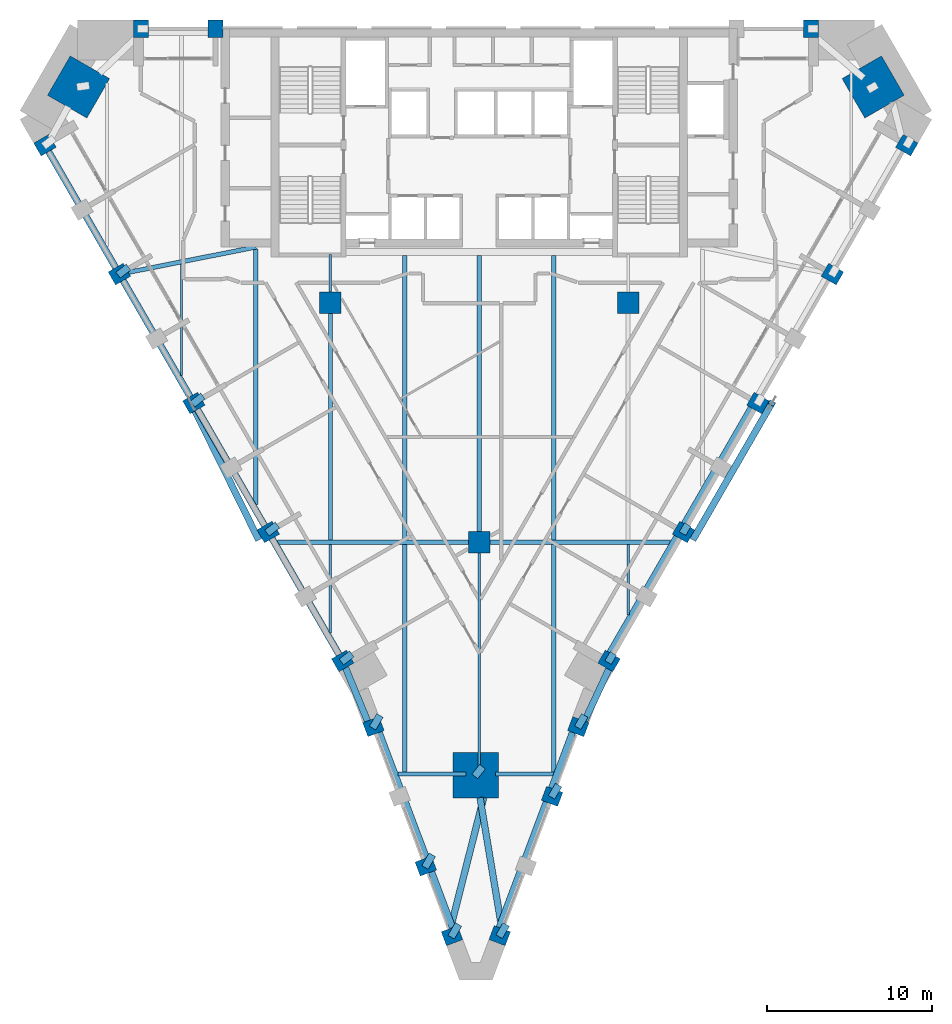
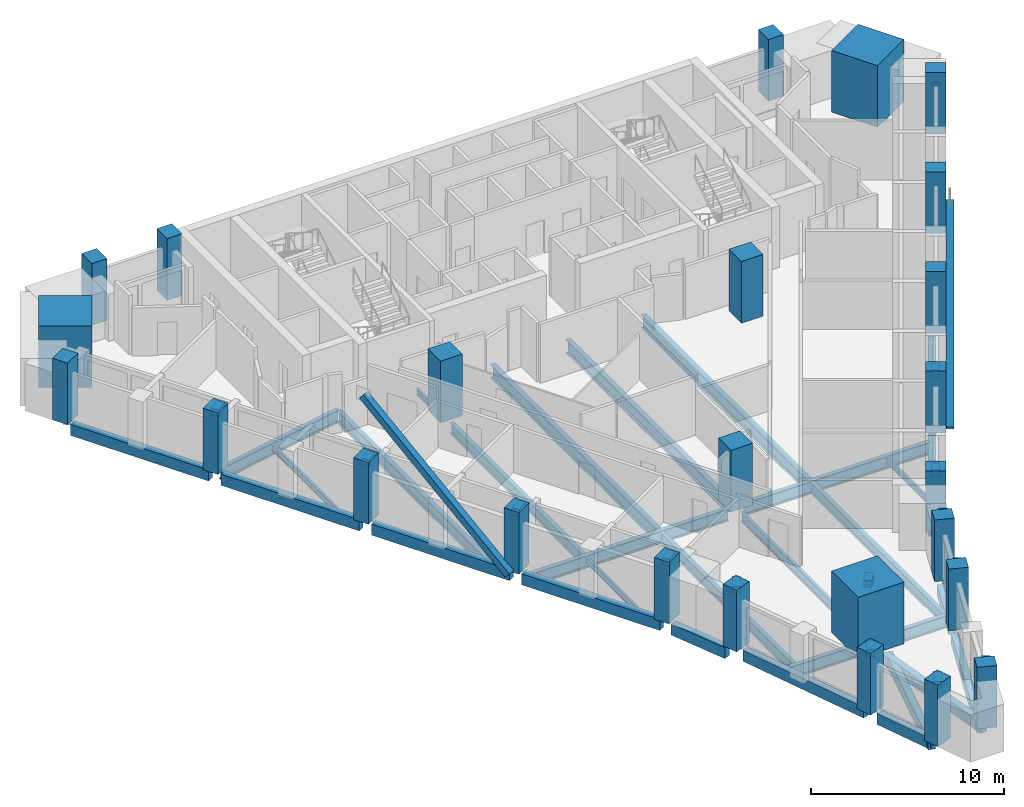
# One storey, part 1 of 10: 44 beams, 25 columns, 2 members.
"""IFC4 building model written with IfcOpenShell, lengths in metres."""

from ifc_helpers import new_model, si_unit, direction, frame, origin, origin_2d, place, context, subcontext, project, spatial, rectangle, hollow_rectangle, i_section, extrude, material, material_profile, profile_set, type_object, element, save


model = new_model("IFC4")

# Units and contexts
model_context = context("Model", 3, precision=1e-05, world=origin(), true_north=direction((0.0, 1.0)))
body_context = subcontext(model_context, "Body", "Model", "MODEL_VIEW")
ifc_project = project(units=[si_unit("LENGTHUNIT", "METRE"), si_unit("AREAUNIT", "SQUARE_METRE"), si_unit("VOLUMEUNIT", "CUBIC_METRE"), si_unit("PLANEANGLEUNIT", "RADIAN"), si_unit("MASSUNIT", "GRAM", prefix="KILO")], contexts=[model_context])

# Site, building, storey
site_placement = place(None, origin())
site = spatial("IfcSite", under=ifc_project, at=site_placement, CompositionType="ELEMENT")
building_placement = place(site_placement, origin())
building = spatial("IfcBuilding", under=site, at=building_placement, Name="Calabash Gate Tower", CompositionType="ELEMENT")
storey_placement = place(building_placement, frame((0.0, 0.0, 152.39990234375)))
storey = spatial("IfcBuildingStorey", under=building, at=storey_placement, Name="L35", CompositionType="ELEMENT", Elevation=152.39990234375)

# Columns
ifc_material_1 = material(Name="Concrete C70/85", Category="concrete")
ifc_material_profile_1 = material_profile(ifc_material_1, rectangle(XDim=1.300048828125, YDim=1.300048828125, at=origin_2d()))
ifc_profile_set_1 = profile_set([ifc_material_profile_1], Name="Concrete C70/85")
column_type_1 = type_object("IfcColumnType", Name="Interior column RC 1300x1300 Concrete C70/85", PredefinedType="COLUMN", material=ifc_profile_set_1)
for number, where, z_axis, x_axis, name in (
    (1, (-9.0, 2.5, 0.0), (0.0, 0.0, 1.0), (1.0, 0.0, 0.0), "Interior column L35 I0"),
    (2, (9.0, 2.5, 0.0), (0.0, 0.0, 1.0), (1.0, 0.0, 0.0), "Interior column L35 I1"),
    (3, (0.0, -12.0, 0.0), (0.0, 0.0, 1.0), (1.0, 0.0, 0.0), "Interior column L35 I2"),
):
    element("IfcColumn", number, at=place(storey_placement, frame(where, z_axis=z_axis, x_axis=x_axis)), inside=storey, type_object=column_type_1, Name=name, PredefinedType="COLUMN", context=body_context, shape_type="SweptSolid", body=[
        extrude(rectangle(XDim=1.300048828125, YDim=1.300048828125, at=origin_2d()), origin(), (0.0, 0.0, 1.0), 3.900146484375),
    ])
ifc_material_2 = material(Name="Concrete C70/85", Category="concrete")
ifc_material_profile_2 = material_profile(ifc_material_2, rectangle(XDim=2.75, YDim=2.75, at=origin_2d()))
ifc_profile_set_2 = profile_set([ifc_material_profile_2], Name="Concrete C70/85")
column_type_2 = type_object("IfcColumnType", Name="Mega column RC 2750x2750 Concrete C70/85", PredefinedType="COLUMN", material=ifc_profile_set_2)
for number, where, z_axis, x_axis, name in (
    (4, (-24.221923828125, 15.531005859375, 0.0), (0.0, 0.0, 1.0), (0.866025386331, -0.50000003023, 0.0), "Mega column L35 NW"),
    (5, (23.81201171875, 15.531005859375, 0.0), (0.0, 0.0, 1.0), (-0.866025386331, -0.50000003023, 0.0), "Mega column L35 NE"),
    (6, (-0.202880859375, -26.068115234375, 0.0), (0.0, 0.0, 1.0), (0.0, 1.0, 0.0), "Mega column L35 S"),
):
    element("IfcColumn", number, at=place(storey_placement, frame(where, z_axis=z_axis, x_axis=x_axis)), inside=storey, type_object=column_type_2, Name=name, PredefinedType="COLUMN", context=body_context, shape_type="SweptSolid", body=[
        extrude(rectangle(XDim=2.75, YDim=2.75, at=origin_2d()), origin(), (0.0, 0.0, 1.0), 3.900146484375),
    ])
ifc_material_3 = material(Name="Concrete C60/75", Category="concrete")
ifc_material_profile_3 = material_profile(ifc_material_3, rectangle(XDim=0.89990234375, YDim=1.050048828125, at=origin_2d()))
ifc_profile_set_3 = profile_set([ifc_material_profile_3], Name="Concrete C60/75")
column_type_3 = type_object("IfcColumnType", Name="Perimeter column RC 900x1050 Concrete C60/75", PredefinedType="COLUMN", material=ifc_profile_set_3)
for number, where, z_axis, x_axis, name in (
    (7, (-26.2529296875, 12.010009765625, 0.0), (0.0, 0.0, 1.0), (0.499999984885, -0.866025412511, 0.0), "Perimeter column L35 P20"),
    (8, (-21.7529296875, 4.216064453125, 0.0), (0.0, 0.0, 1.0), (0.499999984885, -0.866025412511, 0.0), "Perimeter column L35 P00"),
    (9, (-17.2529296875, -3.577880859375, 0.0), (0.0, 0.0, 1.0), (0.499999984885, -0.866025412511, 0.0), "Perimeter column L35 P01"),
    (10, (-12.7529296875, -11.373046875, 0.0), (0.0, 0.0, 1.0), (0.499999984885, -0.866025412511, 0.0), "Perimeter column L35 P02"),
    (11, (-8.2529296875, -19.1669921875, 0.0), (0.0, 0.0, 1.0), (0.499999984885, -0.866025412511, 0.0), "Perimeter column L35 P03"),
    (12, (-6.39599609375, -23.136962890625, 0.0), (0.0, 0.0, 1.0), (0.351822468316, -0.936066744836, 0.0), "Perimeter column L35 P25"),
    (13, (-3.22998046875, -31.56201171875, 0.0), (0.0, 0.0, 1.0), (0.351822468316, -0.936066744836, 0.0), "Perimeter column L35 P26"),
    (14, (-1.64697265625, -35.77392578125, 0.0), (0.0, 0.0, 1.0), (0.351822468316, -0.936066744836, 0.0), "Perimeter column L35 P27"),
    (15, (1.237060546875, -35.77392578125, 0.0), (0.0, 0.0, 1.0), (0.351822517328, 0.936066726415, 0.0), "Perimeter column L35 P28"),
    (16, (4.404052734375, -27.34912109375, 0.0), (0.0, 0.0, 1.0), (0.351822517328, 0.936066726415, 0.0), "Perimeter column L35 P08"),
    (17, (5.987060546875, -23.136962890625, 0.0), (0.0, 0.0, 1.0), (0.351822517328, 0.936066726415, 0.0), "Perimeter column L35 P29"),
    (18, (7.845947265625, -19.1669921875, 0.0), (0.0, 0.0, 1.0), (0.499999984885, 0.866025412511, 0.0), "Perimeter column L35 P09"),
    (19, (12.345947265625, -11.373046875, 0.0), (0.0, 0.0, 1.0), (0.499999984885, 0.866025412511, 0.0), "Perimeter column L35 P10"),
    (20, (16.845947265625, -3.577880859375, 0.0), (0.0, 0.0, 1.0), (0.499999984885, 0.866025412511, 0.0), "Perimeter column L35 P11"),
    (21, (21.345947265625, 4.216064453125, 0.0), (0.0, 0.0, 1.0), (0.499999984885, 0.866025412511, 0.0), "Perimeter column L35 P12"),
    (22, (25.845947265625, 12.010009765625, 0.0), (0.0, 0.0, 1.0), (0.499999984885, 0.866025412511, 0.0), "Perimeter column L35 P13"),
    (23, (20.047119140625, 19.052978515625, 0.0), (0.0, 0.0, 1.0), (-1.0, 0.0, 0.0), "Perimeter column L35 P24"),
    (24, (-15.952880859375, 19.052978515625, 0.0), (0.0, 0.0, 1.0), (-1.0, 0.0, 0.0), "Perimeter column L35 P30"),
    (25, (-20.452880859375, 19.052978515625, 0.0), (0.0, 0.0, 1.0), (-1.0, 0.0, 0.0), "Perimeter column L35 P17"),
):
    element("IfcColumn", number, at=place(storey_placement, frame(where, z_axis=z_axis, x_axis=x_axis)), inside=storey, type_object=column_type_3, Name=name, PredefinedType="COLUMN", context=body_context, shape_type="SweptSolid", body=[
        extrude(rectangle(XDim=0.89990234375, YDim=1.050048828125, at=origin_2d()), origin(), (0.0, 0.0, 1.0), 3.900146484375),
    ])

# Beams
ifc_material_4 = material(Name="Concrete C80/95", Category="concrete")
ifc_material_profile_4 = material_profile(ifc_material_4, rectangle(XDim=0.449951171875, YDim=0.449951171875, at=origin_2d()))
ifc_profile_set_4 = profile_set([ifc_material_profile_4], Name="Concrete C80/95")
beam_type_1 = type_object("IfcBeamType", Name="Column offset link RC 450x450 Concrete C80/95", PredefinedType="BEAM", material=ifc_profile_set_4)
beam_1_placement = place(storey_placement, frame((-21.8330078125, 4.156982421875, 3.504150390625), z_axis=(0.796262778841, 0.604950896381, 0.0), x_axis=(-0.604950896381, 0.796262778841, 0.0)))
element("IfcBeam", 26, at=beam_1_placement, inside=storey, type_object=beam_type_1, Name="Column offset link L35 P00", PredefinedType="BEAM", context=body_context, shape_type="SweptSolid", body=[
    extrude(rectangle(XDim=0.449951171875, YDim=0.449951171875, at=origin_2d()), origin(), (0.0, 0.0, 1.0), 0.794921875),
])
beam_2_placement = place(storey_placement, frame((-17.3330078125, -3.638916015625, 3.504150390625), z_axis=(0.795079648586, 0.606505030815, 0.0), x_axis=(-0.606505030815, 0.795079648586, 0.0)))
element("IfcBeam", 27, at=beam_2_placement, inside=storey, type_object=beam_type_1, Name="Column offset link L35 P01", PredefinedType="BEAM", context=body_context, shape_type="SweptSolid", body=[
    extrude(rectangle(XDim=0.449951171875, YDim=0.449951171875, at=origin_2d()), origin(), (0.0, 0.0, 1.0), 0.796142578125),
])
beam_3_placement = place(storey_placement, frame((-12.8330078125, -11.43310546875, 3.504150390625), z_axis=(0.795523265715, 0.605923042726, 0.0), x_axis=(-0.605923042726, 0.795523265715, 0.0)))
element("IfcBeam", 28, at=beam_3_placement, inside=storey, type_object=beam_type_1, Name="Column offset link L35 P02", PredefinedType="BEAM", context=body_context, shape_type="SweptSolid", body=[
    extrude(rectangle(XDim=0.449951171875, YDim=0.449951171875, at=origin_2d()), origin(), (0.0, 0.0, 1.0), 0.795654296875),
])
beam_4_placement = place(storey_placement, frame((-8.3330078125, -19.22705078125, 3.504150390625), z_axis=(0.794340442153, 0.607472848743, 0.0), x_axis=(-0.607472848743, 0.794340442153, 0.0)))
element("IfcBeam", 29, at=beam_4_placement, inside=storey, type_object=beam_type_1, Name="Column offset link L35 P03", PredefinedType="BEAM", context=body_context, shape_type="SweptSolid", body=[
    extrude(rectangle(XDim=0.449951171875, YDim=0.449951171875, at=origin_2d()), origin(), (0.0, 0.0, 1.0), 0.796875),
])
beam_5_placement = place(storey_placement, frame((4.3701171875, -27.407958984375, 3.504150390625), z_axis=(0.499714185023, 0.866190356265, 0.0), x_axis=(-0.866190356265, 0.499714185023, 0.0)))
element("IfcBeam", 30, at=beam_5_placement, inside=storey, type_object=beam_type_1, Name="Column offset link L35 P08", PredefinedType="BEAM", context=body_context, shape_type="SweptSolid", body=[
    extrude(rectangle(XDim=0.449951171875, YDim=0.449951171875, at=origin_2d()), origin(), (0.0, 0.0, 1.0), 0.85205078125),
])
beam_6_placement = place(storey_placement, frame((7.7890625, -19.263916015625, 3.504150390625), z_axis=(0.500393920955, 0.865797853931, 0.0), x_axis=(-0.865797853931, 0.500393920955, 0.0)))
element("IfcBeam", 31, at=beam_6_placement, inside=storey, type_object=beam_type_1, Name="Column offset link L35 P09", PredefinedType="BEAM", context=body_context, shape_type="SweptSolid", body=[
    extrude(rectangle(XDim=0.449951171875, YDim=0.449951171875, at=origin_2d()), origin(), (0.0, 0.0, 1.0), 0.62939453125),
])
beam_7_placement = place(storey_placement, frame((12.2890625, -11.469970703125, 3.504150390625), z_axis=(0.49972245349, 0.866185586049, 0.0), x_axis=(-0.866185586049, 0.49972245349, 0.0)))
element("IfcBeam", 32, at=beam_7_placement, inside=storey, type_object=beam_type_1, Name="Column offset link L35 P10", PredefinedType="BEAM", context=body_context, shape_type="SweptSolid", body=[
    extrude(rectangle(XDim=0.449951171875, YDim=0.449951171875, at=origin_2d()), origin(), (0.0, 0.0, 1.0), 0.630126953125),
])
beam_8_placement = place(storey_placement, frame((-6.446044921875, -23.22412109375, 3.504150390625), z_axis=(0.499849883363, 0.866112056319, 0.0), x_axis=(-0.866112056319, 0.499849883363, 0.0)))
element("IfcBeam", 33, at=beam_8_placement, inside=storey, type_object=beam_type_1, Name="Column offset link L35 P25", PredefinedType="BEAM", context=body_context, shape_type="SweptSolid", body=[
    extrude(rectangle(XDim=0.449951171875, YDim=0.449951171875, at=origin_2d()), origin(), (0.0, 0.0, 1.0), 0.884521484375),
])
beam_9_placement = place(storey_placement, frame((-3.280029296875, -31.64794921875, 3.504150390625), z_axis=(0.499969398072, 0.866043071095, 0.0), x_axis=(-0.866043071095, 0.499969398072, 0.0)))
element("IfcBeam", 34, at=beam_9_placement, inside=storey, type_object=beam_type_1, Name="Column offset link L35 P26", PredefinedType="BEAM", context=body_context, shape_type="SweptSolid", body=[
    extrude(rectangle(XDim=0.449951171875, YDim=0.449951171875, at=origin_2d()), origin(), (0.0, 0.0, 1.0), 0.88427734375),
])
beam_10_placement = place(storey_placement, frame((-1.697021484375, -35.861083984375, 3.504150390625), z_axis=(0.49972245349, 0.866185586049, 0.0), x_axis=(-0.866185586049, 0.49972245349, 0.0)))
element("IfcBeam", 35, at=beam_10_placement, inside=storey, type_object=beam_type_1, Name="Column offset link L35 P27", PredefinedType="BEAM", context=body_context, shape_type="SweptSolid", body=[
    extrude(rectangle(XDim=0.449951171875, YDim=0.449951171875, at=origin_2d()), origin(), (0.0, 0.0, 1.0), 0.88671875),
])
beam_11_placement = place(storey_placement, frame((1.202880859375, -35.8330078125, 3.504150390625), z_axis=(0.498938415644, 0.866637442876, 0.0), x_axis=(-0.866637442876, 0.498938415644, 0.0)))
element("IfcBeam", 36, at=beam_11_placement, inside=storey, type_object=beam_type_1, Name="Column offset link L35 P28", PredefinedType="BEAM", context=body_context, shape_type="SweptSolid", body=[
    extrude(rectangle(XDim=0.449951171875, YDim=0.449951171875, at=origin_2d()), origin(), (0.0, 0.0, 1.0), 0.853759765625),
])
beam_12_placement = place(storey_placement, frame((5.952880859375, -23.196044921875, 3.504150390625), z_axis=(0.499929120747, 0.866066322073, 0.0), x_axis=(-0.866066322073, 0.499929120747, 0.0)))
element("IfcBeam", 37, at=beam_12_placement, inside=storey, type_object=beam_type_1, Name="Column offset link L35 P29", PredefinedType="BEAM", context=body_context, shape_type="SweptSolid", body=[
    extrude(rectangle(XDim=0.449951171875, YDim=0.449951171875, at=origin_2d()), origin(), (0.0, 0.0, 1.0), 0.85205078125),
])
beam_13_placement = place(storey_placement, frame((-0.26708984375, -26.14599609375, 3.504150390625), z_axis=(0.618551093794, 0.785744579597, 0.0), x_axis=(-0.785744579597, 0.618551093794, 0.0)))
element("IfcBeam", 38, at=beam_13_placement, inside=storey, type_object=beam_type_1, Name="Column offset link L35 S", PredefinedType="BEAM", context=body_context, shape_type="SweptSolid", body=[
    extrude(rectangle(XDim=0.449951171875, YDim=0.449951171875, at=origin_2d()), origin(), (0.0, 0.0, 1.0), 0.75341796875),
])
ifc_material_5 = material(Name="Concrete C50/60", Category="concrete")
ifc_material_profile_5 = material_profile(ifc_material_5, rectangle(XDim=0.39990234375, YDim=0.699951171875, at=origin_2d()))
ifc_profile_set_5 = profile_set([ifc_material_profile_5], Name="Concrete C50/60")
beam_type_2 = type_object("IfcBeamType", Name="Edge beam RC 400x700 Concrete C50/60", PredefinedType="BEAM", material=ifc_profile_set_5)
beam_14_placement = place(storey_placement, frame((-17.0390625, -3.951904296875, -0.52001953125), z_axis=(0.500047870268, -0.865997764108, 0.0), x_axis=(0.865997764108, 0.500047870268, 0.0)))
element("IfcBeam", 39, at=beam_14_placement, inside=storey, type_object=beam_type_2, Name="Edge beam L35 1", PredefinedType="BEAM", context=body_context, shape_type="SweptSolid", body=[
    extrude(rectangle(XDim=0.39990234375, YDim=0.699951171875, at=origin_2d()), origin(), (0.0, 0.0, 1.0), 8.269287109375),
])
beam_15_placement = place(storey_placement, frame((-12.5390625, -11.74609375, -0.52001953125), z_axis=(0.499958388054, -0.86604942712, 0.0), x_axis=(0.86604942712, 0.499958388054, 0.0)))
element("IfcBeam", 40, at=beam_15_placement, inside=storey, type_object=beam_type_2, Name="Edge beam L35 2", PredefinedType="BEAM", context=body_context, shape_type="SweptSolid", body=[
    extrude(rectangle(XDim=0.39990234375, YDim=0.699951171875, at=origin_2d()), origin(), (0.0, 0.0, 1.0), 8.270751953125),
])
beam_16_placement = place(storey_placement, frame((-8.0869140625, -19.570068359375, -0.52001953125), z_axis=(0.381950141161, -0.924182930846, 0.0), x_axis=(0.924182930846, 0.381950141161, 0.0)))
element("IfcBeam", 41, at=beam_16_placement, inside=storey, type_object=beam_type_2, Name="Edge beam L35 3", PredefinedType="BEAM", context=body_context, shape_type="SweptSolid", body=[
    extrude(rectangle(XDim=0.39990234375, YDim=0.699951171875, at=origin_2d()), origin(), (0.0, 0.0, 1.0), 3.5078125),
])
beam_17_placement = place(storey_placement, frame((-6.051025390625, -23.488037109375, -0.52001953125), z_axis=(0.351863225674, -0.936051425093, 0.0), x_axis=(0.936051425093, 0.351863225674, 0.0)))
element("IfcBeam", 42, at=beam_17_placement, inside=storey, type_object=beam_type_2, Name="Edge beam L35 4", PredefinedType="BEAM", context=body_context, shape_type="SweptSolid", body=[
    extrude(rectangle(XDim=0.39990234375, YDim=0.699951171875, at=origin_2d()), origin(), (0.0, 0.0, 1.0), 8.10009765625),
])
beam_18_placement = place(storey_placement, frame((-2.884033203125, -31.9130859375, -0.52001953125), z_axis=(0.351799855959, -0.936075243422, 0.0), x_axis=(0.936075243422, 0.351799855959, 0.0)))
element("IfcBeam", 43, at=beam_18_placement, inside=storey, type_object=beam_type_2, Name="Edge beam L35 5", PredefinedType="BEAM", context=body_context, shape_type="SweptSolid", body=[
    extrude(rectangle(XDim=0.39990234375, YDim=0.699951171875, at=origin_2d()), origin(), (0.0, 0.0, 1.0), 3.598876953125),
])
beam_19_placement = place(storey_placement, frame((-1.743896484375, -35.34912109375, -0.52001953125), z_axis=(0.24595570579, 0.969281069035, 0.0), x_axis=(-0.969281069035, 0.24595570579, 0.0)))
element("IfcBeam", 44, at=beam_19_placement, inside=storey, type_object=beam_type_2, Name="Edge beam L35 6", PredefinedType="BEAM", context=body_context, shape_type="SweptSolid", body=[
    extrude(rectangle(XDim=0.39990234375, YDim=0.699951171875, at=origin_2d()), origin(), (0.0, 0.0, 1.0), 8.17626953125),
])
beam_20_placement = place(storey_placement, frame((0.048095703125, -27.427978515625, -0.52001953125), z_axis=(0.164438353373, -0.986387362013, 0.0), x_axis=(0.986387362013, 0.164438353373, 0.0)))
element("IfcBeam", 45, at=beam_20_placement, inside=storey, type_object=beam_type_2, Name="Edge beam L35 7", PredefinedType="BEAM", context=body_context, shape_type="SweptSolid", body=[
    extrude(rectangle(XDim=0.39990234375, YDim=0.699951171875, at=origin_2d()), origin(), (0.0, 0.0, 1.0), 8.045654296875),
])
beam_21_placement = place(storey_placement, frame((1.2080078125, -35.281982421875, -0.52001953125), z_axis=(0.351863225674, 0.936051425093, 0.0), x_axis=(-0.936051425093, 0.351863225674, 0.0)))
element("IfcBeam", 46, at=beam_21_placement, inside=storey, type_object=beam_type_2, Name="Edge beam L35 8", PredefinedType="BEAM", context=body_context, shape_type="SweptSolid", body=[
    extrude(rectangle(XDim=0.39990234375, YDim=0.699951171875, at=origin_2d()), origin(), (0.0, 0.0, 1.0), 8.10009765625),
])
beam_22_placement = place(storey_placement, frame((4.376953125, -26.85791015625, -0.52001953125), z_axis=(0.351234944025, 0.936287356582, 0.0), x_axis=(-0.936287356582, 0.351234944025, 0.0)))
element("IfcBeam", 47, at=beam_22_placement, inside=storey, type_object=beam_type_2, Name="Edge beam L35 9", PredefinedType="BEAM", context=body_context, shape_type="SweptSolid", body=[
    extrude(rectangle(XDim=0.39990234375, YDim=0.699951171875, at=origin_2d()), origin(), (0.0, 0.0, 1.0), 3.59912109375),
])
beam_23_placement = place(storey_placement, frame((6.361083984375, -22.81005859375, -0.52001953125), z_axis=(0.423673949239, 0.905814762927, 0.0), x_axis=(-0.905814762927, 0.423673949239, 0.0)))
element("IfcBeam", 48, at=beam_23_placement, inside=storey, type_object=beam_type_2, Name="Edge beam L35 10", PredefinedType="BEAM", context=body_context, shape_type="SweptSolid", body=[
    extrude(rectangle(XDim=0.39990234375, YDim=0.699951171875, at=origin_2d()), origin(), (0.0, 0.0, 1.0), 3.47412109375),
])
beam_24_placement = place(storey_placement, frame((7.89697265625, -18.677001953125, -0.52001953125), z_axis=(0.499999880539, 0.866025472755, 0.0), x_axis=(-0.866025472755, 0.499999880539, 0.0)))
element("IfcBeam", 49, at=beam_24_placement, inside=storey, type_object=beam_type_2, Name="Edge beam L35 11", PredefinedType="BEAM", context=body_context, shape_type="SweptSolid", body=[
    extrude(rectangle(XDim=0.39990234375, YDim=0.699951171875, at=origin_2d()), origin(), (0.0, 0.0, 1.0), 8.10009765625),
])
beam_25_placement = place(storey_placement, frame((12.39697265625, -10.883056640625, -0.52001953125), z_axis=(0.499986829629, 0.866033007568, 0.0), x_axis=(-0.866033007568, 0.499986829629, 0.0)))
element("IfcBeam", 50, at=beam_25_placement, inside=storey, type_object=beam_type_2, Name="Edge beam L35 12", PredefinedType="BEAM", context=body_context, shape_type="SweptSolid", body=[
    extrude(rectangle(XDim=0.39990234375, YDim=0.699951171875, at=origin_2d()), origin(), (0.0, 0.0, 1.0), 8.100341796875),
])
beam_26_placement = place(storey_placement, frame((-26.0390625, 11.635986328125, -0.52001953125), z_axis=(0.50000951748, -0.866019908795, 0.0), x_axis=(0.866019908795, 0.50000951748, 0.0)))
element("IfcBeam", 51, at=beam_26_placement, inside=storey, type_object=beam_type_2, Name="Edge beam L35 20", PredefinedType="BEAM", context=body_context, shape_type="SweptSolid", body=[
    extrude(rectangle(XDim=0.39990234375, YDim=0.699951171875, at=origin_2d()), origin(), (0.0, 0.0, 1.0), 8.269775390625),
])
beam_27_placement = place(storey_placement, frame((-21.5390625, 3.842041015625, -0.52001953125), z_axis=(0.499996734306, -0.866027289225, 0.0), x_axis=(0.866027289225, 0.499996734306, 0.0)))
element("IfcBeam", 52, at=beam_27_placement, inside=storey, type_object=beam_type_2, Name="Edge beam L35 21", PredefinedType="BEAM", context=body_context, shape_type="SweptSolid", body=[
    extrude(rectangle(XDim=0.39990234375, YDim=0.699951171875, at=origin_2d()), origin(), (0.0, 0.0, 1.0), 8.27001953125),
])
ifc_material_6 = material(Name="Steel ASTM A992 Gr50", Category="steel")
ifc_material_profile_6 = material_profile(ifc_material_6, i_section(OverallWidth=0.1396484375, OverallDepth=0.398681640625, WebThickness=0.00634765625, FlangeThickness=0.0087890625, FilletRadius=0.01025390625, at=origin_2d()))
ifc_profile_set_6 = profile_set([ifc_material_profile_6], Name="Steel ASTM A992 Gr50")
beam_type_3 = type_object("IfcBeamType", Name="Floor beam W16x26 ASTM A992 Gr50", PredefinedType="BEAM", material=ifc_profile_set_6)
beam_28_placement = place(storey_placement, frame((-18.0, -1.89990234375, -0.368896484375), z_axis=(0.0, 1.0, 0.0), x_axis=(-1.0, 0.0, 0.0)))
element("IfcBeam", 53, at=beam_28_placement, inside=storey, type_object=beam_type_3, Name="Floor beam L35 2", PredefinedType="BEAM", context=body_context, shape_type="SweptSolid", body=[
    extrude(i_section(OverallWidth=0.1396484375, OverallDepth=0.398681640625, WebThickness=0.00634765625, FlangeThickness=0.0087890625, FilletRadius=0.01025390625, at=origin_2d()), origin(), (0.0, 0.0, 1.0), 6.73681640625),
])
beam_29_placement = place(storey_placement, frame((-9.0, -17.488037109375, -0.368896484375), z_axis=(0.0, 1.0, 0.0), x_axis=(-1.0, 0.0, 0.0)))
element("IfcBeam", 54, at=beam_29_placement, inside=storey, type_object=beam_type_3, Name="Floor beam L35 5", PredefinedType="BEAM", context=body_context, shape_type="SweptSolid", body=[
    extrude(i_section(OverallWidth=0.1396484375, OverallDepth=0.398681640625, WebThickness=0.00634765625, FlangeThickness=0.0087890625, FilletRadius=0.01025390625, at=origin_2d()), origin(), (0.0, 0.0, 1.0), 5.35498046875),
])
beam_30_placement = place(storey_placement, frame((-9.0, 3.14990234375, -0.368896484375), z_axis=(0.0, 1.0, 0.0), x_axis=(-1.0, 0.0, 0.0)))
element("IfcBeam", 55, at=beam_30_placement, inside=storey, type_object=beam_type_3, Name="Floor beam L35 7", PredefinedType="BEAM", context=body_context, shape_type="SweptSolid", body=[
    extrude(i_section(OverallWidth=0.1396484375, OverallDepth=0.398681640625, WebThickness=0.00634765625, FlangeThickness=0.0087890625, FilletRadius=0.01025390625, at=origin_2d()), origin(), (0.0, 0.0, 1.0), 2.253173828125),
])
beam_31_placement = place(storey_placement, frame((9.0, -16.37890625, -0.368896484375), z_axis=(0.0, 1.0, 0.0), x_axis=(-1.0, 0.0, 0.0)))
element("IfcBeam", 56, at=beam_31_placement, inside=storey, type_object=beam_type_3, Name="Floor beam L35 14", PredefinedType="BEAM", context=body_context, shape_type="SweptSolid", body=[
    extrude(i_section(OverallWidth=0.1396484375, OverallDepth=0.398681640625, WebThickness=0.00634765625, FlangeThickness=0.0087890625, FilletRadius=0.01025390625, at=origin_2d()), origin(), (0.0, 0.0, 1.0), 4.245849609375),
])
ifc_material_7 = material(Name="Steel ASTM A992 Gr50", Category="steel")
ifc_material_profile_7 = material_profile(ifc_material_7, i_section(OverallWidth=0.1787109375, OverallDepth=0.60205078125, WebThickness=0.010986328125, FlangeThickness=0.014892578125, FilletRadius=0.0126953125, at=origin_2d()))
ifc_profile_set_7 = profile_set([ifc_material_profile_7], Name="Steel ASTM A992 Gr50")
beam_type_4 = type_object("IfcBeamType", Name="Floor beam W24x62 ASTM A992 Gr50", PredefinedType="BEAM", material=ifc_profile_set_7)
beam_32_placement = place(storey_placement, frame((0.0, -25.48291015625, -0.470947265625), z_axis=(0.0, 1.0, 0.0), x_axis=(-1.0, 0.0, 0.0)))
element("IfcBeam", 57, at=beam_32_placement, inside=storey, type_object=beam_type_4, Name="Floor beam L35 10", PredefinedType="BEAM", context=body_context, shape_type="SweptSolid", body=[
    extrude(i_section(OverallWidth=0.1787109375, OverallDepth=0.60205078125, WebThickness=0.010986328125, FlangeThickness=0.014892578125, FilletRadius=0.0126953125, at=origin_2d()), origin(), (0.0, 0.0, 1.0), 12.8330078125),
])
ifc_material_8 = material(Name="Steel ASTM A992 Gr50", Category="steel")
ifc_material_profile_8 = material_profile(ifc_material_8, i_section(OverallWidth=0.25390625, OverallDepth=0.67822265625, WebThickness=0.01171875, FlangeThickness=0.016357421875, FilletRadius=0.01513671875, at=origin_2d()))
ifc_profile_set_8 = profile_set([ifc_material_profile_8], Name="Steel ASTM A992 Gr50")
beam_type_5 = type_object("IfcBeamType", Name="Floor beam W27x84 ASTM A992 Gr50", PredefinedType="BEAM", material=ifc_profile_set_8)
beam_33_placement = place(storey_placement, frame((-9.0, -11.866943359375, -0.5087890625), z_axis=(0.0, 1.0, 0.0), x_axis=(-1.0, 0.0, 0.0)))
element("IfcBeam", 58, at=beam_33_placement, inside=storey, type_object=beam_type_5, Name="Floor beam L35 6", PredefinedType="BEAM", context=body_context, shape_type="SweptSolid", body=[
    extrude(i_section(OverallWidth=0.25390625, OverallDepth=0.67822265625, WebThickness=0.01171875, FlangeThickness=0.016357421875, FilletRadius=0.01513671875, at=origin_2d()), origin(), (0.0, 0.0, 1.0), 13.717041015625),
])
beam_34_placement = place(storey_placement, frame((-4.5, -25.866943359375, -0.5087890625), z_axis=(0.0, 1.0, 0.0), x_axis=(-1.0, 0.0, 0.0)))
element("IfcBeam", 59, at=beam_34_placement, inside=storey, type_object=beam_type_5, Name="Floor beam L35 8", PredefinedType="BEAM", context=body_context, shape_type="SweptSolid", body=[
    extrude(i_section(OverallWidth=0.25390625, OverallDepth=0.67822265625, WebThickness=0.01171875, FlangeThickness=0.016357421875, FilletRadius=0.01513671875, at=origin_2d()), origin(), (0.0, 0.0, 1.0), 13.73388671875),
])
beam_35_placement = place(storey_placement, frame((4.5, -25.89892578125, -0.5087890625), z_axis=(0.0, 1.0, 0.0), x_axis=(-1.0, 0.0, 0.0)))
element("IfcBeam", 60, at=beam_35_placement, inside=storey, type_object=beam_type_5, Name="Floor beam L35 12", PredefinedType="BEAM", context=body_context, shape_type="SweptSolid", body=[
    extrude(i_section(OverallWidth=0.25390625, OverallDepth=0.67822265625, WebThickness=0.01171875, FlangeThickness=0.016357421875, FilletRadius=0.01513671875, at=origin_2d()), origin(), (0.0, 0.0, 1.0), 13.765869140625),
])
ifc_material_9 = material(Name="Steel ASTM A992 Gr50", Category="steel")
ifc_material_profile_9 = material_profile(ifc_material_9, i_section(OverallWidth=0.2666015625, OverallDepth=0.7568359375, WebThickness=0.013916015625, FlangeThickness=0.019287109375, FilletRadius=0.0166015625, at=origin_2d()))
ifc_profile_set_9 = profile_set([ifc_material_profile_9], Name="Steel ASTM A992 Gr50")
beam_type_6 = type_object("IfcBeamType", Name="Floor beam W30x108 ASTM A992 Gr50", PredefinedType="BEAM", material=ifc_profile_set_9)
beam_36_placement = place(storey_placement, frame((-13.5, -9.694091796875, -0.5478515625), z_axis=(0.0, 1.0, 0.0), x_axis=(-1.0, 0.0, 0.0)))
element("IfcBeam", 61, at=beam_36_placement, inside=storey, type_object=beam_type_6, Name="Floor beam L35 4", PredefinedType="BEAM", context=body_context, shape_type="SweptSolid", body=[
    extrude(i_section(OverallWidth=0.2666015625, OverallDepth=0.7568359375, WebThickness=0.013916015625, FlangeThickness=0.019287109375, FilletRadius=0.0166015625, at=origin_2d()), origin(), (0.0, 0.0, 1.0), 15.425048828125),
])
ifc_material_10 = material(Name="Steel ASTM A992 Gr50", Category="steel")
ifc_material_profile_10 = material_profile(ifc_material_10, i_section(OverallWidth=0.2919921875, OverallDepth=0.845703125, WebThickness=0.015380859375, FlangeThickness=0.0244140625, FilletRadius=0.017822265625, at=origin_2d()))
ifc_profile_set_10 = profile_set([ifc_material_profile_10], Name="Steel ASTM A992 Gr50")
beam_type_7 = type_object("IfcBeamType", Name="Floor beam W33x141 ASTM A992 Gr50", PredefinedType="BEAM", material=ifc_profile_set_10)
beam_37_placement = place(storey_placement, frame((-4.5, -11.866943359375, -0.593017578125), z_axis=(0.0, 1.0, 0.0), x_axis=(-1.0, 0.0, 0.0)))
element("IfcBeam", 62, at=beam_37_placement, inside=storey, type_object=beam_type_7, Name="Floor beam L35 9", PredefinedType="BEAM", context=body_context, shape_type="SweptSolid", body=[
    extrude(i_section(OverallWidth=0.2919921875, OverallDepth=0.845703125, WebThickness=0.015380859375, FlangeThickness=0.0244140625, FilletRadius=0.017822265625, at=origin_2d()), origin(), (0.0, 0.0, 1.0), 17.218994140625),
])
beam_38_placement = place(storey_placement, frame((0.0, -11.35009765625, -0.593017578125), z_axis=(0.0, 1.0, 0.0), x_axis=(-1.0, 0.0, 0.0)))
element("IfcBeam", 63, at=beam_38_placement, inside=storey, type_object=beam_type_7, Name="Floor beam L35 11", PredefinedType="BEAM", context=body_context, shape_type="SweptSolid", body=[
    extrude(i_section(OverallWidth=0.2919921875, OverallDepth=0.845703125, WebThickness=0.015380859375, FlangeThickness=0.0244140625, FilletRadius=0.017822265625, at=origin_2d()), origin(), (0.0, 0.0, 1.0), 16.7021484375),
])
beam_39_placement = place(storey_placement, frame((4.5, -11.866943359375, -0.593017578125), z_axis=(0.0, 1.0, 0.0), x_axis=(-1.0, 0.0, 0.0)))
element("IfcBeam", 64, at=beam_39_placement, inside=storey, type_object=beam_type_7, Name="Floor beam L35 13", PredefinedType="BEAM", context=body_context, shape_type="SweptSolid", body=[
    extrude(i_section(OverallWidth=0.2919921875, OverallDepth=0.845703125, WebThickness=0.015380859375, FlangeThickness=0.0244140625, FilletRadius=0.017822265625, at=origin_2d()), origin(), (0.0, 0.0, 1.0), 17.218994140625),
])
ifc_material_11 = material(Name="Steel ASTM A992 Gr50", Category="steel")
ifc_material_profile_11 = material_profile(ifc_material_11, i_section(OverallWidth=0.2666015625, OverallDepth=0.77978515625, WebThickness=0.0166015625, FlangeThickness=0.030029296875, FilletRadius=0.0166015625, at=origin_2d()))
ifc_profile_set_11 = profile_set([ifc_material_profile_11], Name="Steel ASTM A992 Gr50")
beam_type_8 = type_object("IfcBeamType", Name="Girder W30x148 ASTM A992 Gr50", PredefinedType="BEAM", material=ifc_profile_set_11)
beam_40_placement = place(storey_placement, frame((-21.409912109375, 4.283935546875, -0.559814453125), z_axis=(0.980846045759, 0.19478458491, 0.0), x_axis=(-0.19478458491, 0.980846045759, 0.0)))
element("IfcBeam", 65, at=beam_40_placement, inside=storey, type_object=beam_type_8, Name="Girder L35 2", PredefinedType="BEAM", context=body_context, shape_type="SweptSolid", body=[
    extrude(i_section(OverallWidth=0.2666015625, OverallDepth=0.77978515625, WebThickness=0.0166015625, FlangeThickness=0.030029296875, FilletRadius=0.0166015625, at=origin_2d()), origin(), (0.0, 0.0, 1.0), 8.07568359375),
])
beam_41_placement = place(storey_placement, frame((-12.18310546875, -12.0, -0.559814453125), z_axis=(1.0, 0.0, 0.0), x_axis=(0.0, 1.0, 0.0)))
element("IfcBeam", 66, at=beam_41_placement, inside=storey, type_object=beam_type_8, Name="Girder L35 4", PredefinedType="BEAM", context=body_context, shape_type="SweptSolid", body=[
    extrude(i_section(OverallWidth=0.2666015625, OverallDepth=0.77978515625, WebThickness=0.0166015625, FlangeThickness=0.030029296875, FilletRadius=0.0166015625, at=origin_2d()), origin(), (0.0, 0.0, 1.0), 11.713134765625),
])
beam_42_placement = place(storey_placement, frame((0.469970703125, -12.0, -0.559814453125), z_axis=(1.0, 0.0, 0.0), x_axis=(0.0, 1.0, 0.0)))
element("IfcBeam", 67, at=beam_42_placement, inside=storey, type_object=beam_type_8, Name="Girder L35 5", PredefinedType="BEAM", context=body_context, shape_type="SweptSolid", body=[
    extrude(i_section(OverallWidth=0.2666015625, OverallDepth=0.77978515625, WebThickness=0.0166015625, FlangeThickness=0.030029296875, FilletRadius=0.0166015625, at=origin_2d()), origin(), (0.0, 0.0, 1.0), 11.0830078125),
])
beam_43_placement = place(storey_placement, frame((-4.903076171875, -26.0, -0.559814453125), z_axis=(1.0, 0.0, 0.0), x_axis=(0.0, 1.0, 0.0)))
element("IfcBeam", 68, at=beam_43_placement, inside=storey, type_object=beam_type_8, Name="Girder L35 6", PredefinedType="BEAM", context=body_context, shape_type="SweptSolid", body=[
    extrude(i_section(OverallWidth=0.2666015625, OverallDepth=0.77978515625, WebThickness=0.0166015625, FlangeThickness=0.030029296875, FilletRadius=0.0166015625, at=origin_2d()), origin(), (0.0, 0.0, 1.0), 4.114990234375),
])
beam_44_placement = place(storey_placement, frame((0.97802734375, -26.0, -0.559814453125), z_axis=(1.0, 0.0, 0.0), x_axis=(0.0, 1.0, 0.0)))
element("IfcBeam", 69, at=beam_44_placement, inside=storey, type_object=beam_type_8, Name="Girder L35 7", PredefinedType="BEAM", context=body_context, shape_type="SweptSolid", body=[
    extrude(i_section(OverallWidth=0.2666015625, OverallDepth=0.77978515625, WebThickness=0.0166015625, FlangeThickness=0.030029296875, FilletRadius=0.0166015625, at=origin_2d()), origin(), (0.0, 0.0, 1.0), 3.5390625),
])

# Members
ifc_material_12 = material(Name="Steel ASTM A500 Gr C", Category="steel")
ifc_material_profile_12 = material_profile(ifc_material_12, hollow_rectangle(XDim=0.406494140625, YDim=0.406494140625, WallThickness=0.015869140625, at=origin_2d()))
ifc_profile_set_12 = profile_set([ifc_material_profile_12], Name="Steel ASTM A500 Gr C")
member_type = type_object("IfcMemberType", Name="Mega-brace HSS16X16X.625 ASTM A500 Gr C", PredefinedType="BRACE", material=ifc_profile_set_12)
member_1_placement = place(storey_placement, frame((-13.385498046875, -11.73681640625, 0.0), z_axis=(-0.335889432569, 0.68070385734, 0.651015013415), x_axis=(-0.896766401332, -0.442504261496, 0.0)))
element("IfcMember", 70, at=member_1_placement, inside=storey, type_object=member_type, Name="Mega-brace SW Z3 21", PredefinedType="BRACE", context=body_context, shape_type="SweptSolid", body=[
    extrude(hollow_rectangle(XDim=0.406494140625, YDim=0.406494140625, WallThickness=0.015869140625, at=origin_2d()), origin(), (0.0, 0.0, 1.0), 11.9814453125),
])
member_2_placement = place(storey_placement, frame((12.97607421875, -11.73681640625, 0.0), z_axis=(0.385071494992, 0.666962117576, 0.637872618525), x_axis=(-0.866024989479, 0.500000717598, 0.0)))
element("IfcMember", 71, at=member_2_placement, inside=storey, type_object=member_type, Name="Mega-brace SE Z3 25", PredefinedType="BRACE", context=body_context, shape_type="SweptSolid", body=[
    extrude(hollow_rectangle(XDim=0.406494140625, YDim=0.406494140625, WallThickness=0.015869140625, at=origin_2d()), origin(), (0.0, 0.0, 1.0), 12.228271484375),
])

save(model, "model.ifc")
